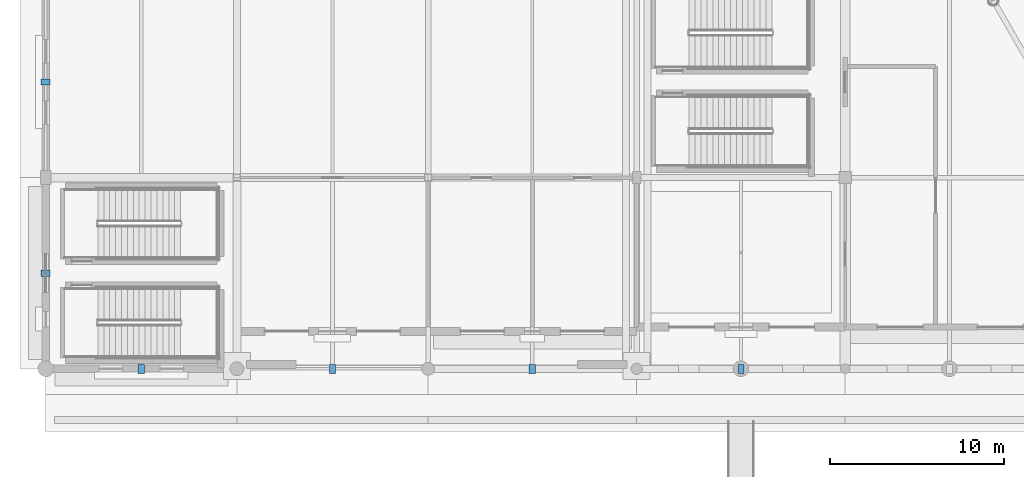
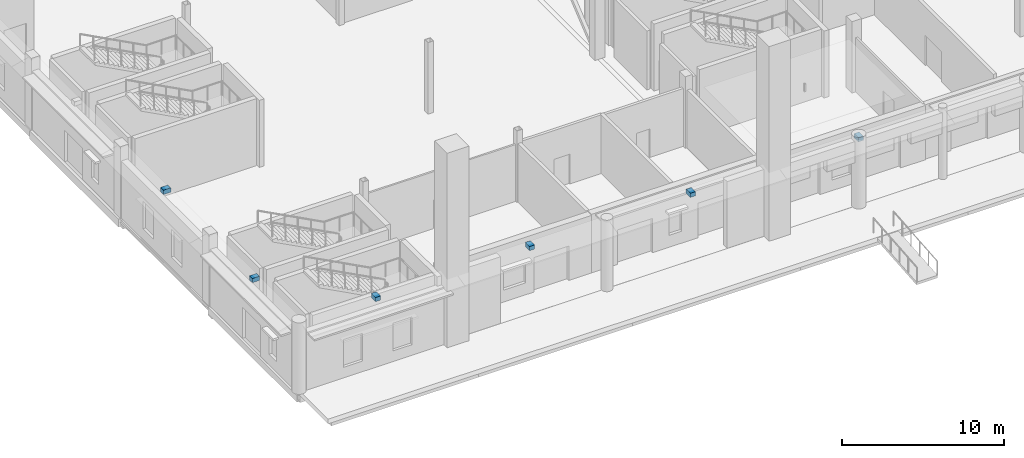
# One storey, part 74 of 120: 6 discrete accessories.
"""IFC4 building model written with IfcOpenShell, lengths in metres."""

from ifc_helpers import new_model, si_unit, direction, frame, origin, origin_2d, place, context, subcontext, project, spatial, rectangle, extrude, material, layer, layer_set, type_object, element, save


model = new_model("IFC4")

# Units and contexts
model_context = context("Model", 3, precision=1e-05, world=origin(), true_north=direction((0.0, 1.0)))
body_context = subcontext(model_context, "Body", "Model", "MODEL_VIEW")
ifc_project = project(units=[si_unit("LENGTHUNIT", "METRE"), si_unit("AREAUNIT", "SQUARE_METRE"), si_unit("VOLUMEUNIT", "CUBIC_METRE"), si_unit("PLANEANGLEUNIT", "RADIAN"), si_unit("MASSUNIT", "GRAM", prefix="KILO")], contexts=[model_context])

# Site, building, storey
site_placement = place(None, origin())
site = spatial("IfcSite", under=ifc_project, at=site_placement, CompositionType="ELEMENT")
building_placement = place(site_placement, origin())
building = spatial("IfcBuilding", under=site, at=building_placement, Name="Luwafu Chhajja Arena", CompositionType="ELEMENT")
storey_placement = place(building_placement, origin())
storey = spatial("IfcBuildingStorey", under=building, at=storey_placement, Name="L00", CompositionType="ELEMENT", Elevation=0.0)

# Discrete accessories
ifc_material = material(Name="Stainless steel bracket", Category="steel")
ifc_layer = layer(ifc_material, 0.179931640625, Name="Stainless steel bracket")
ifc_layer_set = layer_set([ifc_layer], Name="Stainless steel bracket")
discrete_accessory_type = type_object("IfcDiscreteAccessoryType", Name="Stainless Steel Facade Support Bracket", PredefinedType="BRACKET", material=ifc_layer_set)
for number, where, z_axis, x_axis, name in (
    (1, (5.5, 0.0, 4.97998046875), (0.0, 0.0, 1.0), (1.0, 0.0, 0.0), "L00 Chhajja Eave Support Bracket 0065"),
    (2, (0.0, 5.5, 4.97998046875), (0.0, 0.0, 1.0), (0.0, 1.0, 0.0), "L00 Chhajja Eave Support Bracket 0066"),
    (3, (0.0, 16.5, 4.97998046875), (0.0, 0.0, 1.0), (0.0, 1.0, 0.0), "L00 Chhajja Eave Support Bracket 0067"),
    (4, (16.5, 0.0, 4.97998046875), (0.0, 0.0, 1.0), (1.0, 0.0, 0.0), "L00 Chhajja Eave Support Bracket 0076"),
    (5, (28.0, 0.0, 4.97998046875), (0.0, 0.0, 1.0), (1.0, 0.0, 0.0), "L00 Chhajja Eave Support Bracket 0078"),
    (6, (40.0, 0.0, 4.97998046875), (0.0, 0.0, 1.0), (1.0, 0.0, 0.0), "L00 Chhajja Eave Support Bracket 0080"),
):
    element("IfcDiscreteAccessory", number, at=place(storey_placement, frame(where, z_axis=z_axis, x_axis=x_axis)), inside=storey, type_object=discrete_accessory_type, Name=name, PredefinedType="BRACKET", context=body_context, shape_type="SweptSolid", body=[
        extrude(rectangle(XDim=0.360107421875, YDim=0.52001953125, at=origin_2d()), origin(), (0.0, 0.0, 1.0), 0.320068359375),
    ])

save(model, "model.ifc")
